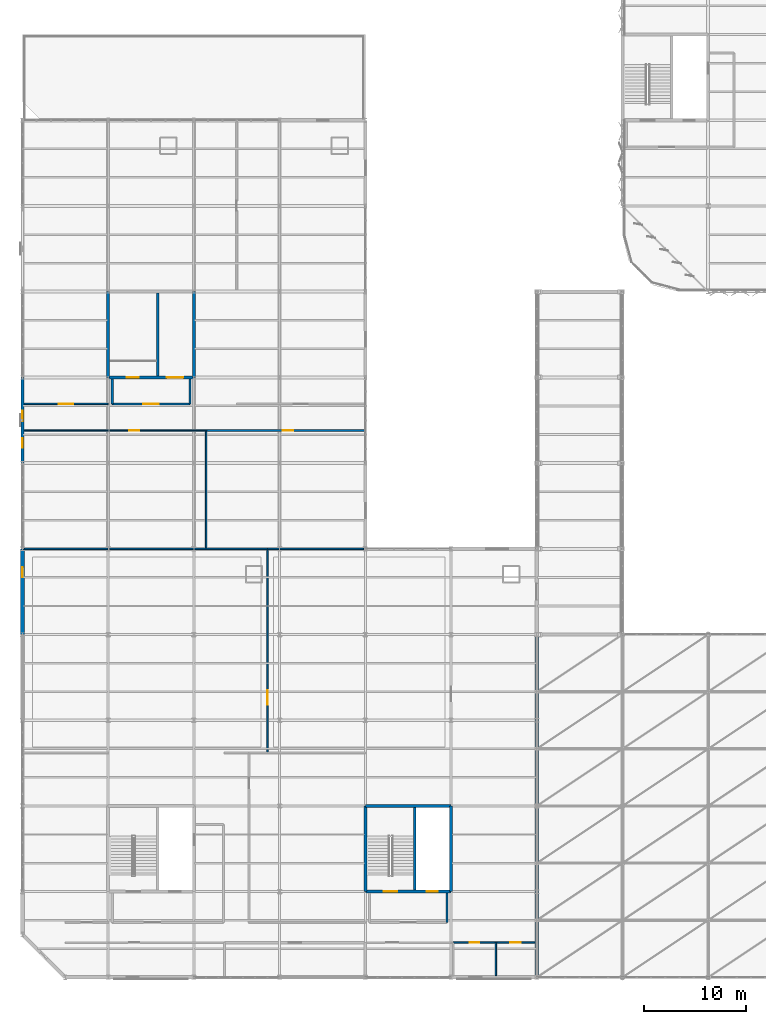
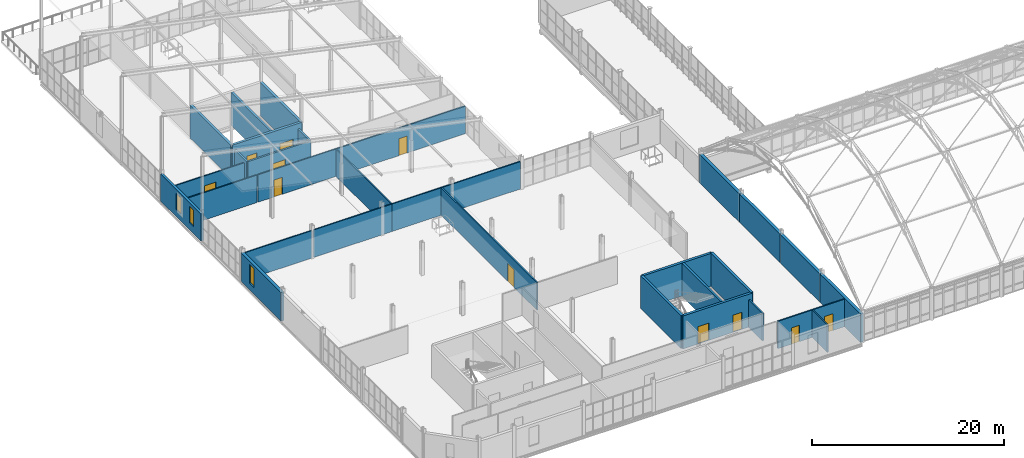
# One storey, part 154 of 184: 32 walls, 11 doors, 3 windows, 14 openings.
"""IFC4 building model written with IfcOpenShell, lengths in metres."""

from ifc_helpers import new_model, si_unit, direction, frame, frame_2d, origin, place, context, subcontext, project, spatial, rectangle, extrude, material, layer, layer_set, type_object, element, fill, save


model = new_model("IFC4")

# Units and contexts
model_context = context("Model", 3, precision=1e-05, world=origin(), true_north=direction((0.0, 1.0)))
body_context = subcontext(model_context, "Body", "Model", "MODEL_VIEW")
ifc_project = project(units=[si_unit("LENGTHUNIT", "METRE"), si_unit("AREAUNIT", "SQUARE_METRE"), si_unit("VOLUMEUNIT", "CUBIC_METRE"), si_unit("PLANEANGLEUNIT", "RADIAN"), si_unit("MASSUNIT", "GRAM", prefix="KILO")], contexts=[model_context])

# Site, building, storey
site_placement = place(None, origin())
site = spatial("IfcSite", under=ifc_project, at=site_placement, CompositionType="ELEMENT")
building_placement = place(site_placement, origin())
building = spatial("IfcBuilding", under=site, at=building_placement, Name="Qalvenar Corner Mobility Hub", CompositionType="ELEMENT")
storey_placement = place(building_placement, frame((0.0, 0.0, 9.0)))
storey = spatial("IfcBuildingStorey", under=building, at=storey_placement, Name="L02", CompositionType="ELEMENT", Elevation=9.0)

# Walls
ifc_material_1 = material(Name="Concrete C40/50", Category="concrete")
ifc_layer_1 = layer(ifc_material_1, 0.25)
ifc_layer_set_1 = layer_set([ifc_layer_1], Name="Concrete C40/50")
wall_type_1 = type_object("IfcWallType", Name="WL-CORE250", PredefinedType="SHEAR", material=ifc_layer_set_1)
wall_1_placement = place(storey_placement, frame((38.449951171875, 8.550048828125, 0.0), z_axis=(0.0, 0.0, 1.0), x_axis=(0.0, 1.0, 0.0)))
element("IfcWall", 1, at=wall_1_placement, inside=storey, type_object=wall_type_1, Name="Core Divider Wall C2-L02", PredefinedType="SHEAR", context=body_context, shape_type="SweptSolid", body=[
    extrude(rectangle(XDim=8.099853515625, YDim=0.25, at=frame_2d((4.0498046875, 0.0))), origin(), (0.0, 0.0, 1.0), 4.199951171875),
])
wall_2_placement = place(storey_placement, frame((13.25, 58.949951171875, 0.0), z_axis=(0.0, 0.0, 1.0), x_axis=(0.0, 1.0, 0.0)))
element("IfcWall", 2, at=wall_2_placement, inside=storey, type_object=wall_type_1, Name="Core Divider Wall C5-L02", PredefinedType="SHEAR", context=body_context, shape_type="SweptSolid", body=[
    extrude(rectangle(XDim=8.10009765625, YDim=0.25, at=frame_2d((4.050048828125, 0.0))), origin(), (0.0, 0.0, 1.0), 4.199951171875),
])

# Wall, openings, doors
ifc_layer_2 = layer(ifc_material_1, 0.300048828125)
ifc_layer_set_2 = layer_set([ifc_layer_2], Name="Concrete C40/50")
wall_type_2 = type_object("IfcWallType", Name="WL-CORE300", PredefinedType="SHEAR", material=ifc_layer_set_2)
wall_3_placement = place(storey_placement, frame((33.60009765625, 8.39990234375, 0.0), z_axis=(0.0, 0.0, 1.0), x_axis=(1.0, 0.0, 0.0)))
wall_3 = element("IfcWall", 3, at=wall_3_placement, inside=storey, type_object=wall_type_2, Name="Core Shear Wall C2-L02-S", PredefinedType="SHEAR", context=body_context, shape_type="SweptSolid", body=[
    extrude(rectangle(XDim=8.39990234375, YDim=0.300048828125, at=frame_2d((4.199951171875, 0.0))), origin(), (0.0, 0.0, 1.0), 4.199951171875),
])
opening_1_placement = place(wall_3_placement, frame((1.800048828125, 0.0, 0.0)))
opening_1 = element("IfcOpeningElement", 4, at=opening_1_placement, cuts=wall_3, Name="Opening DR-163", PredefinedType="OPENING", context=body_context, shape_type="SweptSolid", body=[
    extrude(rectangle(XDim=1.35009765625, YDim=2.199951171875, at=frame_2d((0.675048828125, 1.10009765625))), frame((0.0, 0.16015625, 0.0), z_axis=(0.0, -1.0, 0.0), x_axis=(1.0, 0.0, 0.0)), (0.0, 0.0, 1.0), 0.320068359375),
])
opening_2_placement = place(wall_3_placement, frame((6.0, 0.0, 0.0)))
opening_2 = element("IfcOpeningElement", 5, at=opening_2_placement, cuts=wall_3, Name="Opening DR-164", PredefinedType="OPENING", context=body_context, shape_type="SweptSolid", body=[
    extrude(rectangle(XDim=1.10009765625, YDim=2.199951171875, at=frame_2d((0.550048828125, 1.10009765625))), frame((0.0, 0.16015625, 0.0), z_axis=(0.0, -1.0, 0.0), x_axis=(1.0, 0.0, 0.0)), (0.0, 0.0, 1.0), 0.320068359375),
])
ifc_material_2 = material(Name="Stainless Steel Lift Landing Door", Category="steel")
door_type_1 = type_object("IfcDoorType", Name="DR-LIFT-110", OperationType="SLIDING_TO_LEFT", PredefinedType="DOOR", material=ifc_material_2)
door_1_placement = place(opening_2_placement, origin())
door_1 = element("IfcDoor", 6, at=door_1_placement, inside=storey, type_object=door_type_1, Name="DR-164 Lift Landing Door LF2-L02", OperationType="SLIDING_TO_LEFT", OverallHeight=2.199951171875, OverallWidth=1.10009765625, PredefinedType="DOOR", context=body_context, shape_type="SweptSolid", body=[
    extrude(rectangle(XDim=1.10009765625, YDim=2.199951171875, at=frame_2d((0.550048828125, 1.10009765625))), frame((0.0, 0.02490234375, 0.0), z_axis=(0.0, -1.0, 0.0), x_axis=(1.0, 0.0, 0.0)), (0.0, 0.0, 1.0), 0.050048828125),
])
fill(opening_2, door_1)
ifc_material_3 = material(Name="Fire-Rated Steel Stair Door FD90", Category="steel")
door_type_2 = type_object("IfcDoorType", Name="DR-STAIR-135", OperationType="NOTDEFINED", PredefinedType="DOOR", material=ifc_material_3)
door_2_placement = place(opening_1_placement, origin())
door_2 = element("IfcDoor", 7, at=door_2_placement, inside=storey, type_object=door_type_2, Name="DR-163 Stair Fire Door ST2-L02", OperationType="SINGLE_SWING_RIGHT", OverallHeight=2.199951171875, OverallWidth=1.35009765625, PredefinedType="DOOR", context=body_context, shape_type="SweptSolid", body=[
    extrude(rectangle(XDim=1.35009765625, YDim=2.199951171875, at=frame_2d((0.675048828125, 1.10009765625))), frame((0.0, 0.02490234375, 0.0), z_axis=(0.0, -1.0, 0.0), x_axis=(1.0, 0.0, 0.0)), (0.0, 0.0, 1.0), 0.050048828125),
])
fill(opening_1, door_2)

# Walls
wall_4_placement = place(storey_placement, frame((42.0, 8.39990234375, 0.0), z_axis=(0.0, 0.0, 1.0), x_axis=(0.0, 1.0, 0.0)))
element("IfcWall", 8, at=wall_4_placement, inside=storey, type_object=wall_type_2, Name="Core Shear Wall C2-L02-E", PredefinedType="SHEAR", context=body_context, shape_type="SweptSolid", body=[
    extrude(rectangle(XDim=8.400146484375, YDim=0.300048828125, at=frame_2d((4.2001953125, 0.0))), origin(), (0.0, 0.0, 1.0), 4.199951171875),
])
wall_5_placement = place(storey_placement, frame((42.0, 16.800048828125, 0.0), z_axis=(0.0, 0.0, 1.0), x_axis=(-1.0, 0.0, 0.0)))
element("IfcWall", 9, at=wall_5_placement, inside=storey, type_object=wall_type_2, Name="Core Shear Wall C2-L02-N", PredefinedType="SHEAR", context=body_context, shape_type="SweptSolid", body=[
    extrude(rectangle(XDim=8.39990234375, YDim=0.300048828125, at=frame_2d((4.199951171875, 0.0))), origin(), (0.0, 0.0, 1.0), 4.199951171875),
])
wall_6_placement = place(storey_placement, frame((33.60009765625, 16.800048828125, 0.0), z_axis=(0.0, 0.0, 1.0), x_axis=(0.0, -1.0, 0.0)))
element("IfcWall", 10, at=wall_6_placement, inside=storey, type_object=wall_type_2, Name="Core Shear Wall C2-L02-W", PredefinedType="SHEAR", context=body_context, shape_type="SweptSolid", body=[
    extrude(rectangle(XDim=8.400146484375, YDim=0.300048828125, at=frame_2d((4.2001953125, 0.0))), origin(), (0.0, 0.0, 1.0), 4.199951171875),
])

# Wall, openings, doors
wall_7_placement = place(storey_placement, frame((8.39990234375, 58.800048828125, 0.0), z_axis=(0.0, 0.0, 1.0), x_axis=(1.0, 0.0, 0.0)))
wall_7 = element("IfcWall", 11, at=wall_7_placement, inside=storey, type_object=wall_type_2, Name="Core Shear Wall C5-L02-S", PredefinedType="SHEAR", context=body_context, shape_type="SweptSolid", body=[
    extrude(rectangle(XDim=8.400146484375, YDim=0.300048828125, at=frame_2d((4.2001953125, 0.0))), origin(), (0.0, 0.0, 1.0), 4.199951171875),
])
opening_3_placement = place(wall_7_placement, frame((1.800048828125, 0.0, 0.0)))
opening_3 = element("IfcOpeningElement", 12, at=opening_3_placement, cuts=wall_7, Name="Opening DR-173", PredefinedType="OPENING", context=body_context, shape_type="SweptSolid", body=[
    extrude(rectangle(XDim=1.199951171875, YDim=2.199951171875, at=frame_2d((0.60009765625, 1.10009765625))), frame((0.0, 0.16015625, 0.0), z_axis=(0.0, -1.0, 0.0), x_axis=(1.0, 0.0, 0.0)), (0.0, 0.0, 1.0), 0.320068359375),
])
opening_4_placement = place(wall_7_placement, frame((5.75, 0.0, 0.0)))
opening_4 = element("IfcOpeningElement", 13, at=opening_4_placement, cuts=wall_7, Name="Opening DR-174", PredefinedType="OPENING", context=body_context, shape_type="SweptSolid", body=[
    extrude(rectangle(XDim=1.60009765625, YDim=2.39990234375, at=frame_2d((0.800048828125, 1.199951171875))), frame((0.0, 0.16015625, 0.0), z_axis=(0.0, -1.0, 0.0), x_axis=(1.0, 0.0, 0.0)), (0.0, 0.0, 1.0), 0.320068359375),
])
ifc_material_4 = material(Name="Stainless Steel Goods Lift Landing Door", Category="steel")
door_type_3 = type_object("IfcDoorType", Name="DR-LIFT-160", OperationType="SLIDING_TO_LEFT", PredefinedType="DOOR", material=ifc_material_4)
door_3_placement = place(opening_4_placement, origin())
door_3 = element("IfcDoor", 14, at=door_3_placement, inside=storey, type_object=door_type_3, Name="DR-174 Lift Landing Door LG1-L02", OperationType="SLIDING_TO_LEFT", OverallHeight=2.39990234375, OverallWidth=1.60009765625, PredefinedType="DOOR", context=body_context, shape_type="SweptSolid", body=[
    extrude(rectangle(XDim=1.60009765625, YDim=2.39990234375, at=frame_2d((0.800048828125, 1.199951171875))), frame((0.0, 0.02490234375, 0.0), z_axis=(0.0, -1.0, 0.0), x_axis=(1.0, 0.0, 0.0)), (0.0, 0.0, 1.0), 0.050048828125),
])
fill(opening_4, door_3)
door_type_4 = type_object("IfcDoorType", Name="DR-STAIR-120", OperationType="NOTDEFINED", PredefinedType="DOOR", material=ifc_material_3)
door_4_placement = place(opening_3_placement, origin())
door_4 = element("IfcDoor", 15, at=door_4_placement, inside=storey, type_object=door_type_4, Name="DR-173 Stair Fire Door ST5-L02", OperationType="SINGLE_SWING_LEFT", OverallHeight=2.199951171875, OverallWidth=1.199951171875, PredefinedType="DOOR", context=body_context, shape_type="SweptSolid", body=[
    extrude(rectangle(XDim=1.199951171875, YDim=2.199951171875, at=frame_2d((0.60009765625, 1.10009765625))), frame((0.0, 0.02490234375, 0.0), z_axis=(0.0, -1.0, 0.0), x_axis=(1.0, 0.0, 0.0)), (0.0, 0.0, 1.0), 0.050048828125),
])
fill(opening_3, door_4)

# Walls
for number, where, z_axis, x_axis, name in (
    (16, (16.800048828125, 58.800048828125, 0.0), (0.0, 0.0, 1.0), (0.0, 1.0, 0.0), "Core Shear Wall C5-L02-E"),
    (17, (8.39990234375, 67.199951171875, 0.0), (0.0, 0.0, 1.0), (0.0, -1.0, 0.0), "Core Shear Wall C5-L02-W"),
):
    element("IfcWall", number, at=place(storey_placement, frame(where, z_axis=z_axis, x_axis=x_axis)), inside=storey, type_object=wall_type_2, Name=name, PredefinedType="SHEAR", context=body_context, shape_type="SweptSolid", body=[
        extrude(rectangle(XDim=8.39990234375, YDim=0.300048828125, at=frame_2d((4.199951171875, 0.0))), origin(), (0.0, 0.0, 1.0), 4.199951171875),
    ])

# Wall, openings, windows
ifc_material_5 = material(Name="Lahori Fired Clay Brick Masonry", Category="masonry")
ifc_layer_3 = layer(ifc_material_5, 0.300048828125)
ifc_layer_set_3 = layer_set([ifc_layer_3], Name="Lahori Fired Clay Brick Masonry")
wall_type_3 = type_object("IfcWallType", Name="WL-EXT-BRK300", PredefinedType="STANDARD", material=ifc_layer_set_3)
wall_8_placement = place(storey_placement, frame((0.0, 58.800048828125, 0.0), z_axis=(0.0, 0.0, 1.0), x_axis=(0.0, -1.0, 0.0)))
wall_8 = element("IfcWall", 18, at=wall_8_placement, inside=storey, type_object=wall_type_3, Name="Exterior Facade Wall EW-V5-L02-W1", PredefinedType="STANDARD", context=body_context, shape_type="SweptSolid", body=[
    extrude(rectangle(XDim=8.400146484375, YDim=0.300048828125, at=frame_2d((4.2001953125, 0.0))), origin(), (0.0, 0.0, 1.0), 3.4599609375),
])
opening_5_placement = place(wall_8_placement, frame((3.2548828125, 0.0, 0.89990234375)))
opening_5 = element("IfcOpeningElement", 19, at=opening_5_placement, cuts=wall_8, Name="Opening W-35", PredefinedType="OPENING", context=body_context, shape_type="SweptSolid", body=[
    extrude(rectangle(XDim=1.050048828125, YDim=2.050048828125, at=frame_2d((0.52490234375, 1.02490234375))), frame((0.0, 0.16015625, 0.0), z_axis=(0.0, -1.0, 0.0), x_axis=(1.0, 0.0, 0.0)), (0.0, 0.0, 1.0), 0.320068359375),
])
opening_6_placement = place(wall_8_placement, frame((5.985107421875, 0.0, 0.89990234375)))
opening_6 = element("IfcOpeningElement", 20, at=opening_6_placement, cuts=wall_8, Name="Opening W-15", PredefinedType="OPENING", context=body_context, shape_type="SweptSolid", body=[
    extrude(rectangle(XDim=0.89990234375, YDim=2.10009765625, at=frame_2d((0.449951171875, 1.050048828125))), frame((0.0, 0.16015625, 0.0), z_axis=(0.0, -1.0, 0.0), x_axis=(1.0, 0.0, 0.0)), (0.0, 0.0, 1.0), 0.320068359375),
])
ifc_material_6 = material(Name="Solar-Control Double-Glazed Bronze Window", Category="glass")
window_type_1 = type_object("IfcWindowType", Name="WN-CYC-090X210", PartitioningType="SINGLE_PANEL", PredefinedType="WINDOW", material=ifc_material_6)
window_1_placement = place(opening_6_placement, origin())
window_1 = element("IfcWindow", 21, at=window_1_placement, inside=storey, type_object=window_type_1, Name="Facade Window EW-V5-L02-W1-W2", OverallHeight=2.10009765625, OverallWidth=0.89990234375, PartitioningType="SINGLE_PANEL", PredefinedType="WINDOW", context=body_context, shape_type="SweptSolid", body=[
    extrude(rectangle(XDim=0.89990234375, YDim=2.10009765625, at=frame_2d((0.449951171875, 1.050048828125))), frame((0.0, 0.030029296875, 0.0), z_axis=(0.0, -1.0, 0.0), x_axis=(1.0, 0.0, 0.0)), (0.0, 0.0, 1.0), 0.06005859375),
])
fill(opening_6, window_1)
window_type_2 = type_object("IfcWindowType", Name="WN-CYC-105X205", PartitioningType="SINGLE_PANEL", PredefinedType="WINDOW", material=ifc_material_6)
window_2_placement = place(opening_5_placement, origin())
window_2 = element("IfcWindow", 22, at=window_2_placement, inside=storey, type_object=window_type_2, Name="Facade Window EW-V5-L02-W1-W1", OverallHeight=2.050048828125, OverallWidth=1.050048828125, PartitioningType="SINGLE_PANEL", PredefinedType="WINDOW", context=body_context, shape_type="SweptSolid", body=[
    extrude(rectangle(XDim=1.050048828125, YDim=2.050048828125, at=frame_2d((0.52490234375, 1.02490234375))), frame((0.0, 0.030029296875, 0.0), z_axis=(0.0, -1.0, 0.0), x_axis=(1.0, 0.0, 0.0)), (0.0, 0.0, 1.0), 0.06005859375),
])
fill(opening_5, window_2)

# Wall, opening, window
ifc_material_7 = material(Name="Red Sandstone Ashlar Masonry", Category="masonry")
ifc_layer_4 = layer(ifc_material_7, 0.360107421875)
ifc_layer_set_4 = layer_set([ifc_layer_4], Name="Red Sandstone Ashlar Masonry")
wall_type_4 = type_object("IfcWallType", Name="WL-EXT-SAND360", PredefinedType="STANDARD", material=ifc_layer_set_4)
wall_9_placement = place(storey_placement, frame((0.0, 42.0, 0.0), z_axis=(0.0, 0.0, 1.0), x_axis=(0.0, -1.0, 0.0)))
wall_9 = element("IfcWall", 23, at=wall_9_placement, inside=storey, type_object=wall_type_4, Name="Exterior Facade Wall EW-V3-L02-022", PredefinedType="STANDARD", context=body_context, shape_type="SweptSolid", body=[
    extrude(rectangle(XDim=8.39990234375, YDim=0.360107421875, at=frame_2d((4.199951171875, 0.0))), origin(), (0.0, 0.0, 1.0), 3.6201171875),
])
opening_7_placement = place(wall_9_placement, frame((1.800048828125, 0.0, 0.85009765625)))
opening_7 = element("IfcOpeningElement", 24, at=opening_7_placement, cuts=wall_9, Name="Opening W-06", PredefinedType="OPENING", context=body_context, shape_type="SweptSolid", body=[
    extrude(rectangle(XDim=1.0, YDim=2.39990234375, at=frame_2d((0.5, 1.199951171875))), frame((0.0, 0.18994140625, 0.0), z_axis=(0.0, -1.0, 0.0), x_axis=(1.0, 0.0, 0.0)), (0.0, 0.0, 1.0), 0.380126953125),
])
window_type_3 = type_object("IfcWindowType", Name="WN-CIV-100X240", PartitioningType="SINGLE_PANEL", PredefinedType="WINDOW", material=ifc_material_6)
window_3_placement = place(opening_7_placement, origin())
window_3 = element("IfcWindow", 25, at=window_3_placement, inside=storey, type_object=window_type_3, Name="Facade Window EW-V3-L02-022-W1", OverallHeight=2.39990234375, OverallWidth=1.0, PartitioningType="SINGLE_PANEL", PredefinedType="WINDOW", context=body_context, shape_type="SweptSolid", body=[
    extrude(rectangle(XDim=1.0, YDim=2.39990234375, at=frame_2d((0.5, 1.199951171875))), frame((0.0, 0.030029296875, 0.0), z_axis=(0.0, -1.0, 0.0), x_axis=(1.0, 0.0, 0.0)), (0.0, 0.0, 1.0), 0.06005859375),
])
fill(opening_7, window_3)

# Walls
wall_10_placement = place(storey_placement, frame((50.39990234375, 0.0, 0.0), z_axis=(0.0, 0.0, 1.0), x_axis=(0.0, 1.0, 0.0)))
element("IfcWall", 26, at=wall_10_placement, inside=storey, type_object=wall_type_4, Name="Exterior Facade Wall EW-V3-L02-024", PredefinedType="STANDARD", context=body_context, shape_type="SweptSolid", body=[
    extrude(rectangle(XDim=8.39990234375, YDim=0.360107421875, at=frame_2d((4.199951171875, 0.0))), origin(), (0.0, 0.0, 1.0), 3.6201171875),
])
wall_11_placement = place(storey_placement, frame((50.39990234375, 8.39990234375, 0.0), z_axis=(0.0, 0.0, 1.0), x_axis=(0.0, 1.0, 0.0)))
element("IfcWall", 27, at=wall_11_placement, inside=storey, type_object=wall_type_4, Name="Exterior Facade Wall EW-V3-L02-025", PredefinedType="STANDARD", context=body_context, shape_type="SweptSolid", body=[
    extrude(rectangle(XDim=8.400146484375, YDim=0.360107421875, at=frame_2d((4.2001953125, 0.0))), origin(), (0.0, 0.0, 1.0), 3.6201171875),
])
wall_12_placement = place(storey_placement, frame((50.39990234375, 16.800048828125, 0.0), z_axis=(0.0, 0.0, 1.0), x_axis=(0.0, 1.0, 0.0)))
element("IfcWall", 28, at=wall_12_placement, inside=storey, type_object=wall_type_4, Name="Exterior Facade Wall EW-V3-L02-026", PredefinedType="STANDARD", context=body_context, shape_type="SweptSolid", body=[
    extrude(rectangle(XDim=8.39990234375, YDim=0.360107421875, at=frame_2d((4.199951171875, 0.0))), origin(), (0.0, 0.0, 1.0), 3.6201171875),
])
wall_13_placement = place(storey_placement, frame((50.39990234375, 25.199951171875, 0.0), z_axis=(0.0, 0.0, 1.0), x_axis=(0.0, 1.0, 0.0)))
element("IfcWall", 29, at=wall_13_placement, inside=storey, type_object=wall_type_4, Name="Exterior Facade Wall EW-V3-L02-027", PredefinedType="STANDARD", context=body_context, shape_type="SweptSolid", body=[
    extrude(rectangle(XDim=8.400146484375, YDim=0.360107421875, at=frame_2d((4.2001953125, 0.0))), origin(), (0.0, 0.0, 1.0), 3.6201171875),
])
ifc_material_8 = material(Name="Acoustic Gypsum Stud Partition", Category="masonry")
ifc_layer_5 = layer(ifc_material_8, 0.139892578125)
ifc_layer_set_5 = layer_set([ifc_layer_5], Name="Acoustic Gypsum Stud Partition")
wall_type_5 = type_object("IfcWallType", Name="WL-INT140", PredefinedType="PARTITIONING", material=ifc_layer_set_5)
wall_14_placement = place(storey_placement, frame((0.18505859375, 42.0, 0.0), z_axis=(0.0, 0.0, 1.0), x_axis=(1.0, 0.0, 0.0)))
element("IfcWall", 30, at=wall_14_placement, inside=storey, type_object=wall_type_5, Name="Interior Partition PRT-L02-020", PredefinedType="PARTITIONING", context=body_context, shape_type="SweptSolid", body=[
    extrude(rectangle(XDim=8.21484375, YDim=0.139892578125, at=frame_2d((4.107421875, 0.0))), origin(), (0.0, 0.0, 1.0), 3.5),
])
wall_15_placement = place(storey_placement, frame((8.550048828125, 42.0, 0.0), z_axis=(0.0, 0.0, 1.0), x_axis=(1.0, 0.0, 0.0)))
element("IfcWall", 31, at=wall_15_placement, inside=storey, type_object=wall_type_5, Name="Interior Partition PRT-L02-021", PredefinedType="PARTITIONING", context=body_context, shape_type="SweptSolid", body=[
    extrude(rectangle(XDim=9.449951171875, YDim=0.139892578125, at=frame_2d((4.72509765625, 0.0))), origin(), (0.0, 0.0, 1.0), 3.5),
])
wall_16_placement = place(storey_placement, frame((18.0, 42.0, 0.0), z_axis=(0.0, 0.0, 1.0), x_axis=(1.0, 0.0, 0.0)))
element("IfcWall", 32, at=wall_16_placement, inside=storey, type_object=wall_type_5, Name="Interior Partition PRT-L02-022", PredefinedType="PARTITIONING", context=body_context, shape_type="SweptSolid", body=[
    extrude(rectangle(XDim=6.0, YDim=0.139892578125, at=frame_2d((3.0, 0.0))), origin(), (0.0, 0.0, 1.0), 3.5),
])
wall_17_placement = place(storey_placement, frame((24.0, 42.0, 0.0), z_axis=(0.0, 0.0, 1.0), x_axis=(1.0, 0.0, 0.0)))
element("IfcWall", 33, at=wall_17_placement, inside=storey, type_object=wall_type_5, Name="Interior Partition PRT-L02-023", PredefinedType="PARTITIONING", context=body_context, shape_type="SweptSolid", body=[
    extrude(rectangle(XDim=9.445068359375, YDim=0.139892578125, at=frame_2d((4.72265625, 0.0))), origin(), (0.0, 0.0, 1.0), 3.5),
])
wall_18_placement = place(storey_placement, frame((0.155029296875, 53.60009765625, 0.0), z_axis=(0.0, 0.0, 1.0), x_axis=(1.0, 0.0, 0.0)))
element("IfcWall", 34, at=wall_18_placement, inside=storey, type_object=wall_type_5, Name="Interior Partition PRT-L02-024", PredefinedType="PARTITIONING", context=body_context, shape_type="SweptSolid", body=[
    extrude(rectangle(XDim=8.244873046875, YDim=0.139892578125, at=frame_2d((4.12255859375, 0.0))), origin(), (0.0, 0.0, 1.0), 3.5),
])

# Wall, opening, door
wall_19_placement = place(storey_placement, frame((8.550048828125, 53.60009765625, 0.0), z_axis=(0.0, 0.0, 1.0), x_axis=(1.0, 0.0, 0.0)))
wall_19 = element("IfcWall", 35, at=wall_19_placement, inside=storey, type_object=wall_type_5, Name="Interior Partition PRT-L02-025", PredefinedType="PARTITIONING", context=body_context, shape_type="SweptSolid", body=[
    extrude(rectangle(XDim=9.449951171875, YDim=0.139892578125, at=frame_2d((4.72509765625, 0.0))), origin(), (0.0, 0.0, 1.0), 3.5),
])
opening_8_placement = place(wall_19_placement, frame((1.919921875, 0.0, 0.0)))
opening_8 = element("IfcOpeningElement", 36, at=opening_8_placement, cuts=wall_19, Name="Opening DR-188", PredefinedType="OPENING", context=body_context, shape_type="SweptSolid", body=[
    extrude(rectangle(XDim=1.0, YDim=2.14990234375, at=frame_2d((0.5, 1.074951171875))), frame((0.0, 0.080078125, 0.0), z_axis=(0.0, -1.0, 0.0), x_axis=(1.0, 0.0, 0.0)), (0.0, 0.0, 1.0), 0.159912109375),
])
ifc_material_9 = material(Name="Hardwood Teak Office Door FD30", Category="wood")
door_type_5 = type_object("IfcDoorType", Name="DR-INT-OFF100", OperationType="NOTDEFINED", PredefinedType="DOOR", material=ifc_material_9)
door_5_placement = place(opening_8_placement, origin())
door_5 = element("IfcDoor", 37, at=door_5_placement, inside=storey, type_object=door_type_5, Name="DR-188 MaaS Digital Wayfinding Lab Door", OperationType="SINGLE_SWING_RIGHT", OverallHeight=2.14990234375, OverallWidth=1.0, PredefinedType="DOOR", context=body_context, shape_type="SweptSolid", body=[
    extrude(rectangle(XDim=1.0, YDim=2.14990234375, at=frame_2d((0.5, 1.074951171875))), frame((0.0, 0.02490234375, 0.0), z_axis=(0.0, -1.0, 0.0), x_axis=(1.0, 0.0, 0.0)), (0.0, 0.0, 1.0), 0.050048828125),
])
fill(opening_8, door_5)

wall_20_placement = place(storey_placement, frame((0.155029296875, 56.199951171875, 0.0), z_axis=(0.0, 0.0, 1.0), x_axis=(1.0, 0.0, 0.0)))
wall_20 = element("IfcWall", 38, at=wall_20_placement, inside=storey, type_object=wall_type_5, Name="Interior Partition PRT-L02-027", PredefinedType="PARTITIONING", context=body_context, shape_type="SweptSolid", body=[
    extrude(rectangle(XDim=8.244873046875, YDim=0.139892578125, at=frame_2d((4.12255859375, 0.0))), origin(), (0.0, 0.0, 1.0), 3.5),
])
opening_9_placement = place(wall_20_placement, frame((3.423095703125, 0.0, 0.0)))
opening_9 = element("IfcOpeningElement", 39, at=opening_9_placement, cuts=wall_20, Name="Opening DR-190", PredefinedType="OPENING", context=body_context, shape_type="SweptSolid", body=[
    extrude(rectangle(XDim=1.39990234375, YDim=2.25, at=frame_2d((0.699951171875, 1.125))), frame((0.0, 0.080078125, 0.0), z_axis=(0.0, -1.0, 0.0), x_axis=(1.0, 0.0, 0.0)), (0.0, 0.0, 1.0), 0.159912109375),
])
ifc_material_10 = material(Name="Hardwood Teak Acoustic Double Door", Category="wood")
door_type_6 = type_object("IfcDoorType", Name="DR-INT-PUB140", OperationType="DOUBLE_DOOR_SINGLE_SWING", PredefinedType="DOOR", material=ifc_material_10)
door_6_placement = place(opening_9_placement, origin())
door_6 = element("IfcDoor", 40, at=door_6_placement, inside=storey, type_object=door_type_6, Name="DR-190 Shared Mobility Innovation Studio Door", OperationType="DOUBLE_DOOR_SINGLE_SWING", OverallHeight=2.25, OverallWidth=1.39990234375, PredefinedType="DOOR", context=body_context, shape_type="SweptSolid", body=[
    extrude(rectangle(XDim=1.39990234375, YDim=2.25, at=frame_2d((0.699951171875, 1.125))), frame((0.0, 0.02490234375, 0.0), z_axis=(0.0, -1.0, 0.0), x_axis=(1.0, 0.0, 0.0)), (0.0, 0.0, 1.0), 0.050048828125),
])
fill(opening_9, door_6)

# Wall
wall_21_placement = place(storey_placement, frame((18.0, 42.0, 0.0), z_axis=(0.0, 0.0, 1.0), x_axis=(0.0, 1.0, 0.0)))
element("IfcWall", 41, at=wall_21_placement, inside=storey, type_object=wall_type_5, Name="Interior Partition PRT-L02-032", PredefinedType="PARTITIONING", context=body_context, shape_type="SweptSolid", body=[
    extrude(rectangle(XDim=11.60009765625, YDim=0.139892578125, at=frame_2d((5.800048828125, 0.0))), origin(), (0.0, 0.0, 1.0), 3.5),
])

# Wall, opening, door
ifc_material_11 = material(Name="Plastered Clay Brick Partition", Category="masonry")
ifc_layer_6 = layer(ifc_material_11, 0.159912109375)
ifc_layer_set_6 = layer_set([ifc_layer_6], Name="Plastered Clay Brick Partition")
wall_type_6 = type_object("IfcWallType", Name="WL-INT160", PredefinedType="PARTITIONING", material=ifc_layer_set_6)
wall_22_placement = place(storey_placement, frame((18.0, 53.60009765625, 0.0), z_axis=(0.0, 0.0, 1.0), x_axis=(1.0, 0.0, 0.0)))
wall_22 = element("IfcWall", 42, at=wall_22_placement, inside=storey, type_object=wall_type_6, Name="Interior Partition PRT-L02-026", PredefinedType="PARTITIONING", context=body_context, shape_type="SweptSolid", body=[
    extrude(rectangle(XDim=15.554931640625, YDim=0.159912109375, at=frame_2d((7.77734375, 0.0))), origin(), (0.0, 0.0, 1.0), 3.5),
])
opening_10_placement = place(wall_22_placement, frame((7.52001953125, 0.0, 0.0)))
opening_10 = element("IfcOpeningElement", 43, at=opening_10_placement, cuts=wall_22, Name="Opening DR-189", PredefinedType="OPENING", context=body_context, shape_type="SweptSolid", body=[
    extrude(rectangle(XDim=1.0, YDim=2.14990234375, at=frame_2d((0.5, 1.074951171875))), frame((0.0, 0.08984375, 0.0), z_axis=(0.0, -1.0, 0.0), x_axis=(1.0, 0.0, 0.0)), (0.0, 0.0, 1.0), 0.179931640625),
])
door_7_placement = place(opening_10_placement, origin())
door_7 = element("IfcDoor", 44, at=door_7_placement, inside=storey, type_object=door_type_5, Name="DR-189 Custom Cycle Frame and Cargo Repair Work Door", OperationType="SINGLE_SWING_LEFT", OverallHeight=2.14990234375, OverallWidth=1.0, PredefinedType="DOOR", context=body_context, shape_type="SweptSolid", body=[
    extrude(rectangle(XDim=1.0, YDim=2.14990234375, at=frame_2d((0.5, 1.074951171875))), frame((0.0, 0.02490234375, 0.0), z_axis=(0.0, -1.0, 0.0), x_axis=(1.0, 0.0, 0.0)), (0.0, 0.0, 1.0), 0.050048828125),
])
fill(opening_10, door_7)

wall_23_placement = place(storey_placement, frame((24.0, 22.0, 0.0), z_axis=(0.0, 0.0, 1.0), x_axis=(0.0, 1.0, 0.0)))
wall_23 = element("IfcWall", 45, at=wall_23_placement, inside=storey, type_object=wall_type_6, Name="Interior Partition PRT-L02-036", PredefinedType="PARTITIONING", context=body_context, shape_type="SweptSolid", body=[
    extrude(rectangle(XDim=20.0, YDim=0.159912109375, at=frame_2d((10.0, 0.0))), origin(), (0.0, 0.0, 1.0), 3.5),
])
opening_11_placement = place(wall_23_placement, frame((4.719970703125, 0.0, 0.0)))
opening_11 = element("IfcOpeningElement", 46, at=opening_11_placement, cuts=wall_23, Name="Opening DR-195", PredefinedType="OPENING", context=body_context, shape_type="SweptSolid", body=[
    extrude(rectangle(XDim=1.39990234375, YDim=2.25, at=frame_2d((0.699951171875, 1.125))), frame((0.0, 0.08984375, 0.0), z_axis=(0.0, -1.0, 0.0), x_axis=(1.0, 0.0, 0.0)), (0.0, 0.0, 1.0), 0.179931640625),
])
door_8_placement = place(opening_11_placement, origin())
door_8 = element("IfcDoor", 47, at=door_8_placement, inside=storey, type_object=door_type_6, Name="DR-195 Mobility Hub Operations Offices Door", OperationType="DOUBLE_DOOR_SINGLE_SWING", OverallHeight=2.25, OverallWidth=1.39990234375, PredefinedType="DOOR", context=body_context, shape_type="SweptSolid", body=[
    extrude(rectangle(XDim=1.39990234375, YDim=2.25, at=frame_2d((0.699951171875, 1.125))), frame((0.0, 0.02490234375, 0.0), z_axis=(0.0, -1.0, 0.0), x_axis=(1.0, 0.0, 0.0)), (0.0, 0.0, 1.0), 0.050048828125),
])
fill(opening_11, door_8)

# Walls
ifc_material_12 = material(Name="Concrete Blockwork Masonry", Category="masonry")
ifc_layer_7 = layer(ifc_material_12, 0.199951171875)
ifc_layer_set_7 = layer_set([ifc_layer_7], Name="Concrete Blockwork Masonry")
wall_type_7 = type_object("IfcWallType", Name="WL-LOBBY200", PredefinedType="PARTITIONING", material=ifc_layer_set_7)
wall_24_placement = place(storey_placement, frame((41.60009765625, 5.39990234375, 0.0), z_axis=(0.0, 0.0, 1.0), x_axis=(0.0, 1.0, 0.0)))
element("IfcWall", 48, at=wall_24_placement, inside=storey, type_object=wall_type_7, Name="Interior Partition WL-LOB-C2-L02-E", PredefinedType="PARTITIONING", context=body_context, shape_type="SweptSolid", body=[
    extrude(rectangle(XDim=2.85009765625, YDim=0.199951171875, at=frame_2d((1.425048828125, 0.0))), origin(), (0.0, 0.0, 1.0), 3.489990234375),
])
for number, where, z_axis, x_axis, name in (
    (49, (8.800048828125, 56.199951171875, 0.0), (0.0, 0.0, 1.0), (0.0, 1.0, 0.0), "Interior Partition WL-LOB-C5-L02-W"),
    (50, (16.39990234375, 56.199951171875, 0.0), (0.0, 0.0, 1.0), (0.0, 1.0, 0.0), "Interior Partition WL-LOB-C5-L02-E"),
):
    element("IfcWall", number, at=place(storey_placement, frame(where, z_axis=z_axis, x_axis=x_axis)), inside=storey, type_object=wall_type_7, Name=name, PredefinedType="PARTITIONING", context=body_context, shape_type="SweptSolid", body=[
        extrude(rectangle(XDim=2.449951171875, YDim=0.199951171875, at=frame_2d((1.22509765625, 0.0))), origin(), (0.0, 0.0, 1.0), 3.52001953125),
    ])

# Wall, opening, door
wall_25_placement = place(storey_placement, frame((8.800048828125, 56.199951171875, 0.0), z_axis=(0.0, 0.0, 1.0), x_axis=(1.0, 0.0, 0.0)))
wall_25 = element("IfcWall", 51, at=wall_25_placement, inside=storey, type_object=wall_type_7, Name="Interior Partition WL-LOB-C5-L02-S", PredefinedType="PARTITIONING", context=body_context, shape_type="SweptSolid", body=[
    extrude(rectangle(XDim=7.599853515625, YDim=0.199951171875, at=frame_2d((3.7998046875, 0.0))), origin(), (0.0, 0.0, 1.0), 3.52001953125),
])
opening_12_placement = place(wall_25_placement, frame((3.050048828125, 0.0, 0.0)))
opening_12 = element("IfcOpeningElement", 52, at=opening_12_placement, cuts=wall_25, Name="Opening DR-175", PredefinedType="OPENING", context=body_context, shape_type="SweptSolid", body=[
    extrude(rectangle(XDim=1.5, YDim=2.199951171875, at=frame_2d((0.75, 1.10009765625))), frame((0.0, 0.10986328125, 0.0), z_axis=(0.0, -1.0, 0.0), x_axis=(1.0, 0.0, 0.0)), (0.0, 0.0, 1.0), 0.219970703125),
])
ifc_material_13 = material(Name="Firefighting Lobby Smoke-Control Door FD60", Category="steel")
door_type_7 = type_object("IfcDoorType", Name="DR-FFLOB-150", OperationType="DOUBLE_DOOR_SINGLE_SWING", PredefinedType="DOOR", material=ifc_material_13)
door_9_placement = place(opening_12_placement, origin())
door_9 = element("IfcDoor", 53, at=door_9_placement, inside=storey, type_object=door_type_7, Name="DR-175 Lift Lobby Smoke Door C5-L02", OperationType="DOUBLE_DOOR_SINGLE_SWING", OverallHeight=2.199951171875, OverallWidth=1.5, PredefinedType="DOOR", context=body_context, shape_type="SweptSolid", body=[
    extrude(rectangle(XDim=1.5, YDim=2.199951171875, at=frame_2d((0.75, 1.10009765625))), frame((0.0, 0.02490234375, 0.0), z_axis=(0.0, -1.0, 0.0), x_axis=(1.0, 0.0, 0.0)), (0.0, 0.0, 1.0), 0.050048828125),
])
fill(opening_12, door_9)

ifc_material_14 = material(Name="Ceramic-Tiled Moisture-Resistant Partition", Category="masonry")
ifc_layer_8 = layer(ifc_material_14, 0.14990234375)
ifc_layer_set_8 = layer_set([ifc_layer_8], Name="Ceramic-Tiled Moisture-Resistant Partition")
wall_type_8 = type_object("IfcWallType", Name="WL-WET150", PredefinedType="PARTITIONING", material=ifc_layer_set_8)
wall_26_placement = place(storey_placement, frame((42.199951171875, 3.39990234375, 0.0), z_axis=(0.0, 0.0, 1.0), x_axis=(1.0, 0.0, 0.0)))
wall_26 = element("IfcWall", 54, at=wall_26_placement, inside=storey, type_object=wall_type_8, Name="Interior Partition PRT-L02-005", PredefinedType="PARTITIONING", context=body_context, shape_type="SweptSolid", body=[
    extrude(rectangle(XDim=4.199951171875, YDim=0.14990234375, at=frame_2d((2.10009765625, 0.0))), origin(), (0.0, 0.0, 1.0), 3.5),
])
opening_13_placement = place(wall_26_placement, frame((1.625, 0.0, 0.0)))
opening_13 = element("IfcOpeningElement", 55, at=opening_13_placement, cuts=wall_26, Name="Opening DR-182", PredefinedType="OPENING", context=body_context, shape_type="SweptSolid", body=[
    extrude(rectangle(XDim=0.949951171875, YDim=2.10009765625, at=frame_2d((0.47509765625, 1.050048828125))), frame((0.0, 0.0849609375, 0.0), z_axis=(0.0, -1.0, 0.0), x_axis=(1.0, 0.0, 0.0)), (0.0, 0.0, 1.0), 0.169921875),
])
ifc_material_15 = material(Name="Moisture-Resistant Laminate WC Door", Category="wood")
door_type_8 = type_object("IfcDoorType", Name="DR-INT-WC095", OperationType="NOTDEFINED", PredefinedType="DOOR", material=ifc_material_15)
door_10_placement = place(opening_13_placement, origin())
door_10 = element("IfcDoor", 56, at=door_10_placement, inside=storey, type_object=door_type_8, Name="DR-182 Second Floor Staff Toilets Door", OperationType="SINGLE_SWING_RIGHT", OverallHeight=2.10009765625, OverallWidth=0.949951171875, PredefinedType="DOOR", context=body_context, shape_type="SweptSolid", body=[
    extrude(rectangle(XDim=0.949951171875, YDim=2.10009765625, at=frame_2d((0.47509765625, 1.050048828125))), frame((0.0, 0.02490234375, 0.0), z_axis=(0.0, -1.0, 0.0), x_axis=(1.0, 0.0, 0.0)), (0.0, 0.0, 1.0), 0.050048828125),
])
fill(opening_13, door_10)

wall_27_placement = place(storey_placement, frame((46.39990234375, 3.39990234375, 0.0), z_axis=(0.0, 0.0, 1.0), x_axis=(1.0, 0.0, 0.0)))
wall_27 = element("IfcWall", 57, at=wall_27_placement, inside=storey, type_object=wall_type_8, Name="Interior Partition PRT-L02-006", PredefinedType="PARTITIONING", context=body_context, shape_type="SweptSolid", body=[
    extrude(rectangle(XDim=3.815185546875, YDim=0.14990234375, at=frame_2d((1.90771484375, 0.0))), origin(), (0.0, 0.0, 1.0), 3.5),
])
opening_14_placement = place(wall_27_placement, frame((1.383056640625, 0.0, 0.0)))
opening_14 = element("IfcOpeningElement", 58, at=opening_14_placement, cuts=wall_27, Name="Opening DR-183", PredefinedType="OPENING", context=body_context, shape_type="SweptSolid", body=[
    extrude(rectangle(XDim=1.050048828125, YDim=2.14990234375, at=frame_2d((0.52490234375, 1.074951171875))), frame((0.0, 0.0849609375, 0.0), z_axis=(0.0, -1.0, 0.0), x_axis=(1.0, 0.0, 0.0)), (0.0, 0.0, 1.0), 0.169921875),
])
ifc_material_16 = material(Name="Accessible Wheelchair WC Door", Category="wood")
door_type_9 = type_object("IfcDoorType", Name="DR-INT-AWC105", OperationType="NOTDEFINED", PredefinedType="DOOR", material=ifc_material_16)
door_11_placement = place(opening_14_placement, origin())
door_11 = element("IfcDoor", 59, at=door_11_placement, inside=storey, type_object=door_type_9, Name="DR-183 Second Floor Accessible WC Door", OperationType="SINGLE_SWING_LEFT", OverallHeight=2.14990234375, OverallWidth=1.050048828125, PredefinedType="DOOR", context=body_context, shape_type="SweptSolid", body=[
    extrude(rectangle(XDim=1.050048828125, YDim=2.14990234375, at=frame_2d((0.52490234375, 1.074951171875))), frame((0.0, 0.02490234375, 0.0), z_axis=(0.0, -1.0, 0.0), x_axis=(1.0, 0.0, 0.0)), (0.0, 0.0, 1.0), 0.050048828125),
])
fill(opening_14, door_11)

# Wall
wall_28_placement = place(storey_placement, frame((46.39990234375, 0.18505859375, 0.0), z_axis=(0.0, 0.0, 1.0), x_axis=(0.0, 1.0, 0.0)))
element("IfcWall", 60, at=wall_28_placement, inside=storey, type_object=wall_type_8, Name="Interior Partition PRT-L02-040", PredefinedType="PARTITIONING", context=body_context, shape_type="SweptSolid", body=[
    extrude(rectangle(XDim=3.21484375, YDim=0.14990234375, at=frame_2d((1.607421875, 0.0))), origin(), (0.0, 0.0, 1.0), 3.5),
])

save(model, "model.ifc")
